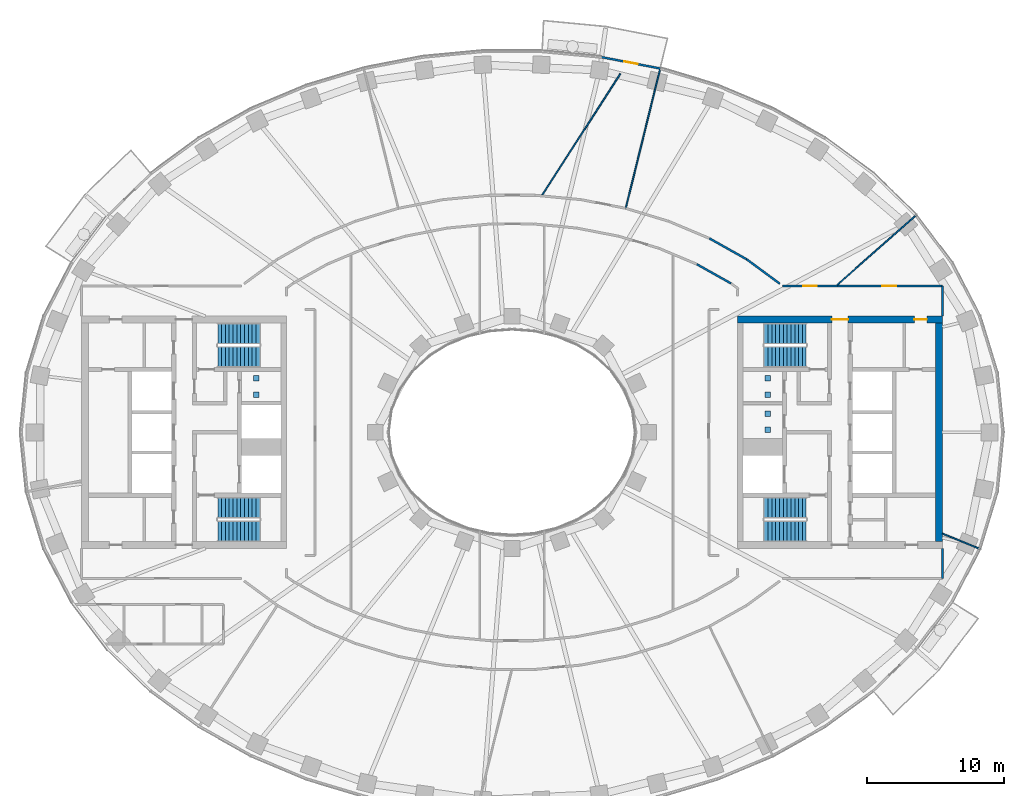
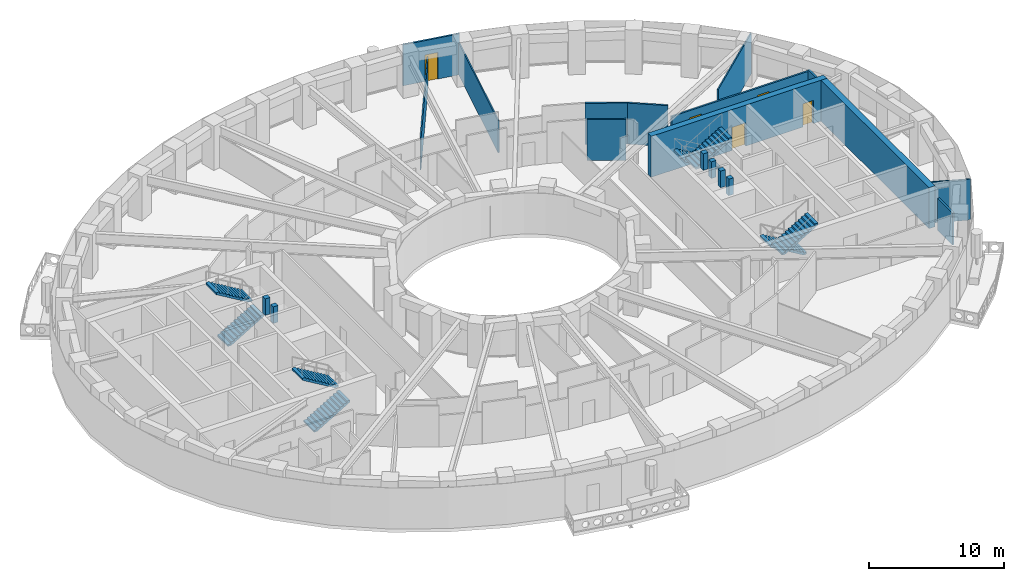
# One storey, part 7 of 16: 13 walls, 8 stair flights, 6 discrete accessories, 5 doors, 5 openings, 4 elements without a shape of their own.
"""IFC4 building model written with IfcOpenShell, lengths in metres."""

from ifc_helpers import new_model, si_unit, direction, frame, frame_2d, origin, origin_2d, place, context, subcontext, project, spatial, polyline, rectangle, outline, extrude, material, layer, layer_set, type_object, element, fill, aggregate, save


model = new_model("IFC4")

# Units and contexts
model_context = context("Model", 3, precision=1e-05, world=origin(), true_north=direction((0.0, 1.0)))
body_context = subcontext(model_context, "Body", "Model", "MODEL_VIEW")
ifc_project = project(units=[si_unit("LENGTHUNIT", "METRE"), si_unit("AREAUNIT", "SQUARE_METRE"), si_unit("VOLUMEUNIT", "CUBIC_METRE"), si_unit("PLANEANGLEUNIT", "RADIAN"), si_unit("MASSUNIT", "GRAM", prefix="KILO")], contexts=[model_context])

# Site, building, storey
site_placement = place(None, origin())
site = spatial("IfcSite", under=ifc_project, at=site_placement, CompositionType="ELEMENT")
building_placement = place(site_placement, origin())
building = spatial("IfcBuilding", under=site, at=building_placement, Name="Noorbagh Ring Tower", CompositionType="ELEMENT")
storey_placement = place(building_placement, frame((0.0, 0.0, 136.0)))
storey = spatial("IfcBuildingStorey", under=building, at=storey_placement, Name="L31", CompositionType="ELEMENT", Elevation=136.0)

# Wall, openings, doors
ifc_material_1 = material(Name="Concrete C70/85", Category="concrete")
ifc_layer_1 = layer(ifc_material_1, 0.5)
ifc_layer_set_1 = layer_set([ifc_layer_1], Name="Concrete C70/85")
wall_type_1 = type_object("IfcWallType", Name="CORE-WALL-500-C70-85-EI240", PredefinedType="SHEAR", material=ifc_layer_set_1)
wall_1_placement = place(storey_placement, frame((16.5, 8.25, 0.0), z_axis=(0.0, 0.0, 1.0), x_axis=(1.0, 0.0, 0.0)))
wall_1 = element("IfcWall", 1, at=wall_1_placement, inside=storey, type_object=wall_type_1, Name="Core wall E", PredefinedType="SHEAR", context=body_context, shape_type="SweptSolid", body=[
    extrude(rectangle(XDim=15.0, YDim=0.5, at=frame_2d((7.5, 0.0))), origin(), (0.0, 0.0, 1.0), 3.699951171875),
])
opening_1_placement = place(wall_1_placement, frame((6.89990234375, 0.0, 0.0)))
opening_1 = element("IfcOpeningElement", 2, at=opening_1_placement, cuts=wall_1, Name="Opening L31-CE09", PredefinedType="OPENING", context=body_context, shape_type="SweptSolid", body=[
    extrude(rectangle(XDim=1.199951171875, YDim=2.10009765625, at=frame_2d((0.60009765625, 1.050048828125))), frame((0.0, 0.260009765625, 0.0), z_axis=(0.0, -1.0, 0.0), x_axis=(1.0, 0.0, 0.0)), (0.0, 0.0, 1.0), 0.52001953125),
])
opening_2_placement = place(wall_1_placement, frame((12.949951171875, 0.0, 0.0)))
opening_2 = element("IfcOpeningElement", 3, at=opening_2_placement, cuts=wall_1, Name="Opening L31-CE14", PredefinedType="OPENING", context=body_context, shape_type="SweptSolid", body=[
    extrude(rectangle(XDim=0.89990234375, YDim=2.10009765625, at=frame_2d((0.449951171875, 1.050048828125))), frame((0.0, 0.260009765625, 0.0), z_axis=(0.0, -1.0, 0.0), x_axis=(1.0, 0.0, 0.0)), (0.0, 0.0, 1.0), 0.52001953125),
])
ifc_material_2 = material(Name="Steel door leaf", Category="steel")
door_type_1 = type_object("IfcDoorType", Name="CORE-DOOR-DROOM", OperationType="SINGLE_SWING_LEFT", PredefinedType="DOOR", material=ifc_material_2)
door_1_placement = place(opening_2_placement, origin())
door_1 = element("IfcDoor", 4, at=door_1_placement, inside=storey, type_object=door_type_1, Name="Core room door L31-CE14", OperationType="SINGLE_SWING_LEFT", OverallHeight=2.10009765625, OverallWidth=0.89990234375, PredefinedType="DOOR", context=body_context, shape_type="SweptSolid", body=[
    extrude(rectangle(XDim=0.89990234375, YDim=2.10009765625, at=frame_2d((0.449951171875, 1.050048828125))), frame((0.0, 0.02490234375, 0.0), z_axis=(0.0, -1.0, 0.0), x_axis=(1.0, 0.0, 0.0)), (0.0, 0.0, 1.0), 0.050048828125),
])
fill(opening_2, door_1)
ifc_material_3 = material(Name="Steel door leaf", Category="steel")
door_type_2 = type_object("IfcDoorType", Name="CORE-DOOR-PORT", OperationType="DOUBLE_DOOR_DOUBLE_SWING", PredefinedType="DOOR", material=ifc_material_3)
door_2_placement = place(opening_1_placement, origin())
door_2 = element("IfcDoor", 5, at=door_2_placement, inside=storey, type_object=door_type_2, Name="Core entrance door L31-CE09", OperationType="DOUBLE_DOOR_DOUBLE_SWING", OverallHeight=2.10009765625, OverallWidth=1.199951171875, PredefinedType="DOOR", context=body_context, shape_type="SweptSolid", body=[
    extrude(rectangle(XDim=1.199951171875, YDim=2.10009765625, at=frame_2d((0.60009765625, 1.050048828125))), frame((0.0, 0.02490234375, 0.0), z_axis=(0.0, -1.0, 0.0), x_axis=(1.0, 0.0, 0.0)), (0.0, 0.0, 1.0), 0.050048828125),
])
fill(opening_1, door_2)

# Walls
wall_2_placement = place(storey_placement, frame((31.25, -8.0, 0.0), z_axis=(0.0, 0.0, 1.0), x_axis=(0.0, 1.0, 0.0)))
element("IfcWall", 6, at=wall_2_placement, inside=storey, type_object=wall_type_1, Name="Core wall E", PredefinedType="SHEAR", context=body_context, shape_type="SweptSolid", body=[
    extrude(rectangle(XDim=16.0, YDim=0.5, at=frame_2d((8.0, 0.0))), origin(), (0.0, 0.0, 1.0), 3.699951171875),
])
ifc_material_4 = material(Name="Gypsum board on steel studs", Category="steel")
ifc_layer_2 = layer(ifc_material_4, 0.14990234375)
ifc_layer_set_2 = layer_set([ifc_layer_2], Name="Gypsum board on steel studs")
wall_type_2 = type_object("IfcWallType", Name="CORRIDOR PARTITION 150 EI 30", PredefinedType="PARTITIONING", material=ifc_layer_set_2)
wall_3_placement = place(storey_placement, frame((13.52099609375, 12.302978515625, 0.0), z_axis=(0.0, 0.0, 1.0), x_axis=(0.871948863789, -0.489596955604, 0.0)))
element("IfcWall", 7, at=wall_3_placement, inside=storey, type_object=wall_type_2, Name="L31/wall/P77", PredefinedType="PARTITIONING", context=body_context, shape_type="SweptSolid", body=[
    extrude(rectangle(XDim=2.879638671875, YDim=0.14990234375, at=frame_2d((1.43994140625, 0.0))), origin(), (0.0, 0.0, 1.0), 3.699951171875),
])
wall_4_placement = place(storey_placement, frame((14.445068359375, 14.19189453125, 0.0), z_axis=(0.0, 0.0, 1.0), x_axis=(0.872054495499, -0.489408783003, 0.0)))
element("IfcWall", 8, at=wall_4_placement, inside=storey, type_object=wall_type_2, Name="L31/wall/P81", PredefinedType="PARTITIONING", context=body_context, shape_type="SweptSolid", body=[
    extrude(rectangle(XDim=3.128173828125, YDim=0.14990234375, at=frame_2d((1.56396484375, 0.0))), origin(), (0.0, 0.0, 1.0), 3.699951171875),
])
wall_5_placement = place(storey_placement, frame((17.173095703125, 12.660888671875, 0.0), z_axis=(0.0, 0.0, 1.0), x_axis=(0.805151708762, -0.593068904831, 0.0)))
element("IfcWall", 9, at=wall_5_placement, inside=storey, type_object=wall_type_2, Name="L31/wall/P89", PredefinedType="PARTITIONING", context=body_context, shape_type="SweptSolid", body=[
    extrude(rectangle(XDim=3.008056640625, YDim=0.14990234375, at=frame_2d((1.50390625, 0.0))), origin(), (0.0, 0.0, 1.0), 3.699951171875),
])

# Wall, openings, doors
wall_6_placement = place(storey_placement, frame((19.777099609375, 10.699951171875, 0.0), z_axis=(0.0, 0.0, 1.0), x_axis=(1.0, 0.0, 0.0)))
wall_6 = element("IfcWall", 10, at=wall_6_placement, inside=storey, type_object=wall_type_2, Name="L31/wall/P91", PredefinedType="PARTITIONING", context=body_context, shape_type="SweptSolid", body=[
    extrude(rectangle(XDim=11.722900390625, YDim=0.14990234375, at=frame_2d((5.861328125, 0.0))), origin(), (0.0, 0.0, 1.0), 2.75),
])
opening_3_placement = place(wall_6_placement, frame((1.52490234375, 0.0, 0.0)))
opening_3 = element("IfcOpeningElement", 11, at=opening_3_placement, cuts=wall_6, Name="Opening D1", PredefinedType="OPENING", context=body_context, shape_type="SweptSolid", body=[
    extrude(rectangle(XDim=1.0, YDim=2.10009765625, at=frame_2d((0.5, 1.050048828125))), frame((0.0, 0.0849609375, 0.0), z_axis=(0.0, -1.0, 0.0), x_axis=(1.0, 0.0, 0.0)), (0.0, 0.0, 1.0), 0.169921875),
])
opening_4_placement = place(wall_6_placement, frame((7.322998046875, 0.0, 0.0)))
opening_4 = element("IfcOpeningElement", 12, at=opening_4_placement, cuts=wall_6, Name="Opening D1", PredefinedType="OPENING", context=body_context, shape_type="SweptSolid", body=[
    extrude(rectangle(XDim=1.0, YDim=2.10009765625, at=frame_2d((0.5, 1.050048828125))), frame((0.0, 0.0849609375, 0.0), z_axis=(0.0, -1.0, 0.0), x_axis=(1.0, 0.0, 0.0)), (0.0, 0.0, 1.0), 0.169921875),
])
ifc_material_5 = material(Name="Timber, painted", Category="wood")
door_type_3 = type_object("IfcDoorType", Name="DOOR 1000 X 2100 FD30", OperationType="SINGLE_SWING_LEFT", PredefinedType="DOOR", material=ifc_material_5)
door_3_placement = place(opening_3_placement, origin())
door_3 = element("IfcDoor", 13, at=door_3_placement, inside=storey, type_object=door_type_3, Name="L31-D11", OperationType="SINGLE_SWING_LEFT", OverallHeight=2.10009765625, OverallWidth=1.0, PredefinedType="DOOR", context=body_context, shape_type="SweptSolid", body=[
    extrude(rectangle(XDim=1.0, YDim=2.10009765625, at=frame_2d((0.5, 1.050048828125))), frame((0.0, 0.02490234375, 0.0), z_axis=(0.0, -1.0, 0.0), x_axis=(1.0, 0.0, 0.0)), (0.0, 0.0, 1.0), 0.050048828125),
])
fill(opening_3, door_3)
door_4_placement = place(opening_4_placement, origin())
door_4 = element("IfcDoor", 14, at=door_4_placement, inside=storey, type_object=door_type_3, Name="L31-D13", OperationType="SINGLE_SWING_LEFT", OverallHeight=2.10009765625, OverallWidth=1.0, PredefinedType="DOOR", context=body_context, shape_type="SweptSolid", body=[
    extrude(rectangle(XDim=1.0, YDim=2.10009765625, at=frame_2d((0.5, 1.050048828125))), frame((0.0, 0.02490234375, 0.0), z_axis=(0.0, -1.0, 0.0), x_axis=(1.0, 0.0, 0.0)), (0.0, 0.0, 1.0), 0.050048828125),
])
fill(opening_4, door_4)

# Walls
for number, where, z_axis, x_axis, name in (
    (15, (31.5, -10.699951171875, 0.0), (0.0, 0.0, 1.0), (0.0, 1.0, 0.0), "L31/wall/P93"),
    (16, (31.5, 8.5, 0.0), (0.0, 0.0, 1.0), (0.0, 1.0, 0.0), "L31/wall/P95"),
):
    element("IfcWall", number, at=place(storey_placement, frame(where, z_axis=z_axis, x_axis=x_axis)), inside=storey, type_object=wall_type_2, Name=name, PredefinedType="PARTITIONING", context=body_context, shape_type="SweptSolid", body=[
        extrude(rectangle(XDim=2.199951171875, YDim=0.14990234375, at=frame_2d((1.10009765625, 0.0))), origin(), (0.0, 0.0, 1.0), 2.89990234375),
    ])

# Wall, opening, door
ifc_material_6 = material(Name="Insulated aluminium clad panel", Category="aluminium")
ifc_layer_3 = layer(ifc_material_6, 0.14990234375)
ifc_layer_set_3 = layer_set([ifc_layer_3], Name="Insulated aluminium clad panel")
wall_type_3 = type_object("IfcWallType", Name="ENV-WALL-DOOR", PredefinedType="STANDARD", material=ifc_layer_set_3)
wall_7_placement = place(storey_placement, frame((10.87060546875, 26.616943359375, 0.0), z_axis=(0.0, 0.0, 1.0), x_axis=(-0.981631174778, 0.190788460615, 0.0)))
wall_7 = element("IfcWall", 17, at=wall_7_placement, inside=storey, type_object=wall_type_3, Name="Balcony door wall chord 10", PredefinedType="STANDARD", context=body_context, shape_type="SweptSolid", body=[
    extrude(rectangle(XDim=4.42626953125, YDim=0.14990234375, at=frame_2d((2.213134765625, 0.0))), origin(), (0.0, 0.0, 1.0), 3.699951171875),
])
opening_5_placement = place(wall_7_placement, frame((1.713134765625, 0.0, 0.0)))
opening_5 = element("IfcOpeningElement", 18, at=opening_5_placement, cuts=wall_7, Name="Opening D-BL", PredefinedType="OPENING", context=body_context, shape_type="SweptSolid", body=[
    extrude(rectangle(XDim=1.0, YDim=2.39990234375, at=frame_2d((0.5, 1.199951171875))), frame((0.0, 0.0849609375, 0.0), z_axis=(0.0, -1.0, 0.0), x_axis=(1.0, 0.0, 0.0)), (0.0, 0.0, 1.0), 0.169921875),
])
ifc_material_7 = material(Name="Aluminium and glass", Category="aluminium")
door_type_4 = type_object("IfcDoorType", Name="ENV-DOOR-BALCONY", OperationType="SINGLE_SWING_LEFT", PredefinedType="DOOR", material=ifc_material_7)
door_5_placement = place(opening_5_placement, origin())
door_5 = element("IfcDoor", 19, at=door_5_placement, inside=storey, type_object=door_type_4, Name="Balcony door chord 10", OperationType="SINGLE_SWING_RIGHT", OverallHeight=2.39990234375, OverallWidth=1.0, PredefinedType="DOOR", context=body_context, shape_type="SweptSolid", body=[
    extrude(rectangle(XDim=1.0, YDim=2.39990234375, at=frame_2d((0.5, 1.199951171875))), frame((0.0, 0.02490234375, 0.0), z_axis=(0.0, -1.0, 0.0), x_axis=(1.0, 0.0, 0.0)), (0.0, 0.0, 1.0), 0.050048828125),
])
fill(opening_5, door_5)

# Walls
ifc_material_8 = material(Name="Gypsum board on steel studs", Category="steel")
ifc_layer_4 = layer(ifc_material_8, 0.10009765625)
ifc_layer_set_4 = layer_set([ifc_layer_4], Name="Gypsum board on steel studs")
wall_type_4 = type_object("IfcWallType", Name="PARTITION 100 GYPSUM", PredefinedType="PARTITIONING", material=ifc_layer_set_4)
wall_8_placement = place(storey_placement, frame((2.2119140625, 17.3740234375, 0.0), z_axis=(0.0, 0.0, 1.0), x_axis=(0.542291918101, 0.840190142505, 0.0)))
element("IfcWall", 20, at=wall_8_placement, inside=storey, type_object=wall_type_4, Name="L31/wall/P59", PredefinedType="PARTITIONING", context=body_context, shape_type="SweptSolid", body=[
    extrude(rectangle(XDim=10.545166015625, YDim=0.10009765625, at=frame_2d((5.2724609375, 0.0))), origin(), (0.0, 0.0, 1.0), 2.85009765625),
])
wall_9_placement = place(storey_placement, frame((8.321044921875, 16.39404296875, 0.0), z_axis=(0.0, 0.0, 1.0), x_axis=(0.239771193985, 0.970829426076, 0.0)))
element("IfcWall", 21, at=wall_9_placement, inside=storey, type_object=wall_type_4, Name="L31/wall/P69", PredefinedType="PARTITIONING", context=body_context, shape_type="SweptSolid", body=[
    extrude(rectangle(XDim=10.56005859375, YDim=0.10009765625, at=frame_2d((5.280029296875, 0.0))), origin(), (0.0, 0.0, 1.0), 2.89990234375),
])
wall_10_placement = place(storey_placement, frame((23.784912109375, 10.778076171875, 0.0), z_axis=(0.0, 0.0, 1.0), x_axis=(0.748985701008, 0.662586160198, 0.0)))
element("IfcWall", 22, at=wall_10_placement, inside=storey, type_object=wall_type_4, Name="L31/wall/P92", PredefinedType="PARTITIONING", context=body_context, shape_type="SweptSolid", body=[
    extrude(rectangle(XDim=7.72265625, YDim=0.10009765625, at=frame_2d((3.861328125, 0.0))), origin(), (0.0, 0.0, 1.0), 3.699951171875),
])
wall_11_placement = place(storey_placement, frame((31.5, -7.409912109375, 0.0), z_axis=(0.0, 0.0, 1.0), x_axis=(0.925344112436, -0.379128307542, 0.0)))
element("IfcWall", 23, at=wall_11_placement, inside=storey, type_object=wall_type_4, Name="L31/wall/P94", PredefinedType="PARTITIONING", context=body_context, shape_type="SweptSolid", body=[
    extrude(rectangle(XDim=2.954345703125, YDim=0.10009765625, at=frame_2d((1.47705078125, 0.0))), origin(), (0.0, 0.0, 1.0), 3.699951171875),
])

# Stair, stair flights
ifc_material_9 = material(Name="Concrete C40/50", Category="concrete")
stair_type = type_object("IfcStairType", Name="CORE-STAIR", PredefinedType="HALF_TURN_STAIR", material=ifc_material_9)
stair_1_placement = place(storey_placement, origin())
stair_1 = element("IfcStair", 24, at=stair_1_placement, inside=storey, type_object=stair_type, Name="L31 Exit stair ST1", PredefinedType="HALF_TURN_STAIR")
ifc_material_10 = material(Name="Concrete C40/50", Category="concrete")
stair_flight_type = type_object("IfcStairFlightType", Name="CORE-STAIR-FLIGHT", PredefinedType="STRAIGHT", material=ifc_material_10)
stair_flight_1_placement = place(storey_placement, frame((-21.530029296875, 5.52490234375, 0.0), z_axis=(0.0, 0.0, 1.0), x_axis=(1.0, 0.0, 0.0)))
stair_flight_1 = element("IfcStairFlight", 25, at=stair_flight_1_placement, type_object=stair_flight_type, Name="ST1 flight 1", NumberOfRisers=12, NumberOfTreads=11, PredefinedType="STRAIGHT", RiserHeight=0.166666667, TreadLength=0.28, context=body_context, shape_type="SweptSolid", body=[
    extrude(outline(polyline([(0.0, 0.0), (0.0, 0.166748046875), (0.280029296875, 0.166748046875), (0.280029296875, 0.333251953125), (0.56005859375, 0.333251953125), (0.56005859375, 0.5), (0.840087890625, 0.5), (0.840087890625, 0.666748046875), (1.1201171875, 0.666748046875), (1.1201171875, 0.833251953125), (1.39990234375, 0.833251953125), (1.39990234375, 1.0), (1.679931640625, 1.0), (1.679931640625, 1.166748046875), (1.9599609375, 1.166748046875), (1.9599609375, 1.333251953125), (2.239990234375, 1.333251953125), (2.239990234375, 1.5), (2.52001953125, 1.5), (2.52001953125, 1.666748046875), (2.800048828125, 1.666748046875), (2.800048828125, 1.833251953125), (3.080078125, 1.833251953125), (3.080078125, 2.0), (3.080078125, 1.658935546875), (0.29296875, 0.0), (0.0, 0.0)])), frame((0.0, 0.77490234375, 0.0), z_axis=(0.0, -1.0, 0.0), x_axis=(1.0, 0.0, 0.0)), (0.0, 0.0, 1.0), 1.550048828125),
])
stair_flight_2_placement = place(storey_placement, frame((-18.449951171875, 7.22509765625, 2.0), z_axis=(0.0, 0.0, 1.0), x_axis=(-1.0, 0.0, 0.0)))
stair_flight_2 = element("IfcStairFlight", 26, at=stair_flight_2_placement, type_object=stair_flight_type, Name="ST1 flight 2", NumberOfRisers=12, NumberOfTreads=11, PredefinedType="STRAIGHT", RiserHeight=0.166666667, TreadLength=0.28, context=body_context, shape_type="SweptSolid", body=[
    extrude(outline(polyline([(0.0, 0.0), (0.0, 0.166748046875), (0.280029296875, 0.166748046875), (0.280029296875, 0.333251953125), (0.56005859375, 0.333251953125), (0.56005859375, 0.5), (0.840087890625, 0.5), (0.840087890625, 0.666748046875), (1.1201171875, 0.666748046875), (1.1201171875, 0.833251953125), (1.39990234375, 0.833251953125), (1.39990234375, 1.0), (1.679931640625, 1.0), (1.679931640625, 1.166748046875), (1.9599609375, 1.166748046875), (1.9599609375, 1.333251953125), (2.239990234375, 1.333251953125), (2.239990234375, 1.5), (2.52001953125, 1.5), (2.52001953125, 1.666748046875), (2.800048828125, 1.666748046875), (2.800048828125, 1.833251953125), (3.080078125, 1.833251953125), (3.080078125, 2.0), (3.080078125, 1.658935546875), (0.29296875, 0.0), (0.0, 0.0)])), frame((0.0, 0.77490234375, 0.0), z_axis=(0.0, -1.0, 0.0), x_axis=(1.0, 0.0, 0.0)), (0.0, 0.0, 1.0), 1.550048828125),
])
aggregate(stair_1, [stair_flight_1, stair_flight_2])

stair_2_placement = place(storey_placement, origin())
stair_2 = element("IfcStair", 27, at=stair_2_placement, inside=storey, type_object=stair_type, Name="L31 Exit stair ST2", PredefinedType="HALF_TURN_STAIR")
stair_flight_3_placement = place(storey_placement, frame((-21.530029296875, -7.22509765625, 0.0), z_axis=(0.0, 0.0, 1.0), x_axis=(1.0, 0.0, 0.0)))
stair_flight_3 = element("IfcStairFlight", 28, at=stair_flight_3_placement, type_object=stair_flight_type, Name="ST2 flight 1", NumberOfRisers=12, NumberOfTreads=11, PredefinedType="STRAIGHT", RiserHeight=0.166666667, TreadLength=0.28, context=body_context, shape_type="SweptSolid", body=[
    extrude(outline(polyline([(0.0, 0.0), (0.0, 0.166748046875), (0.280029296875, 0.166748046875), (0.280029296875, 0.333251953125), (0.56005859375, 0.333251953125), (0.56005859375, 0.5), (0.840087890625, 0.5), (0.840087890625, 0.666748046875), (1.1201171875, 0.666748046875), (1.1201171875, 0.833251953125), (1.39990234375, 0.833251953125), (1.39990234375, 1.0), (1.679931640625, 1.0), (1.679931640625, 1.166748046875), (1.9599609375, 1.166748046875), (1.9599609375, 1.333251953125), (2.239990234375, 1.333251953125), (2.239990234375, 1.5), (2.52001953125, 1.5), (2.52001953125, 1.666748046875), (2.800048828125, 1.666748046875), (2.800048828125, 1.833251953125), (3.080078125, 1.833251953125), (3.080078125, 2.0), (3.080078125, 1.658935546875), (0.29296875, 0.0), (0.0, 0.0)])), frame((0.0, 0.77490234375, 0.0), z_axis=(0.0, -1.0, 0.0), x_axis=(1.0, 0.0, 0.0)), (0.0, 0.0, 1.0), 1.550048828125),
])
stair_flight_4_placement = place(storey_placement, frame((-18.449951171875, -5.52490234375, 2.0), z_axis=(0.0, 0.0, 1.0), x_axis=(-1.0, 0.0, 0.0)))
stair_flight_4 = element("IfcStairFlight", 29, at=stair_flight_4_placement, type_object=stair_flight_type, Name="ST2 flight 2", NumberOfRisers=12, NumberOfTreads=11, PredefinedType="STRAIGHT", RiserHeight=0.166666667, TreadLength=0.28, context=body_context, shape_type="SweptSolid", body=[
    extrude(outline(polyline([(0.0, 0.0), (0.0, 0.166748046875), (0.280029296875, 0.166748046875), (0.280029296875, 0.333251953125), (0.56005859375, 0.333251953125), (0.56005859375, 0.5), (0.840087890625, 0.5), (0.840087890625, 0.666748046875), (1.1201171875, 0.666748046875), (1.1201171875, 0.833251953125), (1.39990234375, 0.833251953125), (1.39990234375, 1.0), (1.679931640625, 1.0), (1.679931640625, 1.166748046875), (1.9599609375, 1.166748046875), (1.9599609375, 1.333251953125), (2.239990234375, 1.333251953125), (2.239990234375, 1.5), (2.52001953125, 1.5), (2.52001953125, 1.666748046875), (2.800048828125, 1.666748046875), (2.800048828125, 1.833251953125), (3.080078125, 1.833251953125), (3.080078125, 2.0), (3.080078125, 1.658935546875), (0.29296875, 0.0), (0.0, 0.0)])), frame((0.0, 0.77490234375, 0.0), z_axis=(0.0, -1.0, 0.0), x_axis=(1.0, 0.0, 0.0)), (0.0, 0.0, 1.0), 1.550048828125),
])
aggregate(stair_2, [stair_flight_3, stair_flight_4])

stair_3_placement = place(storey_placement, origin())
stair_3 = element("IfcStair", 30, at=stair_3_placement, inside=storey, type_object=stair_type, Name="L31 Exit stair ST3", PredefinedType="HALF_TURN_STAIR")
stair_flight_5_placement = place(storey_placement, frame((21.530029296875, 7.22509765625, 0.0), z_axis=(0.0, 0.0, 1.0), x_axis=(-1.0, 0.0, 0.0)))
stair_flight_5 = element("IfcStairFlight", 31, at=stair_flight_5_placement, type_object=stair_flight_type, Name="ST3 flight 1", NumberOfRisers=12, NumberOfTreads=11, PredefinedType="STRAIGHT", RiserHeight=0.166666667, TreadLength=0.28, context=body_context, shape_type="SweptSolid", body=[
    extrude(outline(polyline([(0.0, 0.0), (0.0, 0.166748046875), (0.280029296875, 0.166748046875), (0.280029296875, 0.333251953125), (0.56005859375, 0.333251953125), (0.56005859375, 0.5), (0.840087890625, 0.5), (0.840087890625, 0.666748046875), (1.1201171875, 0.666748046875), (1.1201171875, 0.833251953125), (1.39990234375, 0.833251953125), (1.39990234375, 1.0), (1.679931640625, 1.0), (1.679931640625, 1.166748046875), (1.9599609375, 1.166748046875), (1.9599609375, 1.333251953125), (2.239990234375, 1.333251953125), (2.239990234375, 1.5), (2.52001953125, 1.5), (2.52001953125, 1.666748046875), (2.800048828125, 1.666748046875), (2.800048828125, 1.833251953125), (3.080078125, 1.833251953125), (3.080078125, 2.0), (3.080078125, 1.658935546875), (0.29296875, 0.0), (0.0, 0.0)])), frame((0.0, 0.77490234375, 0.0), z_axis=(0.0, -1.0, 0.0), x_axis=(1.0, 0.0, 0.0)), (0.0, 0.0, 1.0), 1.550048828125),
])
stair_flight_6_placement = place(storey_placement, frame((18.449951171875, 5.52490234375, 2.0), z_axis=(0.0, 0.0, 1.0), x_axis=(1.0, 0.0, 0.0)))
stair_flight_6 = element("IfcStairFlight", 32, at=stair_flight_6_placement, type_object=stair_flight_type, Name="ST3 flight 2", NumberOfRisers=12, NumberOfTreads=11, PredefinedType="STRAIGHT", RiserHeight=0.166666667, TreadLength=0.28, context=body_context, shape_type="SweptSolid", body=[
    extrude(outline(polyline([(0.0, 0.0), (0.0, 0.166748046875), (0.280029296875, 0.166748046875), (0.280029296875, 0.333251953125), (0.56005859375, 0.333251953125), (0.56005859375, 0.5), (0.840087890625, 0.5), (0.840087890625, 0.666748046875), (1.1201171875, 0.666748046875), (1.1201171875, 0.833251953125), (1.39990234375, 0.833251953125), (1.39990234375, 1.0), (1.679931640625, 1.0), (1.679931640625, 1.166748046875), (1.9599609375, 1.166748046875), (1.9599609375, 1.333251953125), (2.239990234375, 1.333251953125), (2.239990234375, 1.5), (2.52001953125, 1.5), (2.52001953125, 1.666748046875), (2.800048828125, 1.666748046875), (2.800048828125, 1.833251953125), (3.080078125, 1.833251953125), (3.080078125, 2.0), (3.080078125, 1.658935546875), (0.29296875, 0.0), (0.0, 0.0)])), frame((0.0, 0.77490234375, 0.0), z_axis=(0.0, -1.0, 0.0), x_axis=(1.0, 0.0, 0.0)), (0.0, 0.0, 1.0), 1.550048828125),
])
aggregate(stair_3, [stair_flight_5, stair_flight_6])

stair_4_placement = place(storey_placement, origin())
stair_4 = element("IfcStair", 33, at=stair_4_placement, inside=storey, type_object=stair_type, Name="L31 Exit stair ST4", PredefinedType="HALF_TURN_STAIR")
stair_flight_7_placement = place(storey_placement, frame((21.530029296875, -5.52490234375, 0.0), z_axis=(0.0, 0.0, 1.0), x_axis=(-1.0, 0.0, 0.0)))
stair_flight_7 = element("IfcStairFlight", 34, at=stair_flight_7_placement, type_object=stair_flight_type, Name="ST4 flight 1", NumberOfRisers=12, NumberOfTreads=11, PredefinedType="STRAIGHT", RiserHeight=0.166666667, TreadLength=0.28, context=body_context, shape_type="SweptSolid", body=[
    extrude(outline(polyline([(0.0, 0.0), (0.0, 0.166748046875), (0.280029296875, 0.166748046875), (0.280029296875, 0.333251953125), (0.56005859375, 0.333251953125), (0.56005859375, 0.5), (0.840087890625, 0.5), (0.840087890625, 0.666748046875), (1.1201171875, 0.666748046875), (1.1201171875, 0.833251953125), (1.39990234375, 0.833251953125), (1.39990234375, 1.0), (1.679931640625, 1.0), (1.679931640625, 1.166748046875), (1.9599609375, 1.166748046875), (1.9599609375, 1.333251953125), (2.239990234375, 1.333251953125), (2.239990234375, 1.5), (2.52001953125, 1.5), (2.52001953125, 1.666748046875), (2.800048828125, 1.666748046875), (2.800048828125, 1.833251953125), (3.080078125, 1.833251953125), (3.080078125, 2.0), (3.080078125, 1.658935546875), (0.29296875, 0.0), (0.0, 0.0)])), frame((0.0, 0.77490234375, 0.0), z_axis=(0.0, -1.0, 0.0), x_axis=(1.0, 0.0, 0.0)), (0.0, 0.0, 1.0), 1.550048828125),
])
stair_flight_8_placement = place(storey_placement, frame((18.449951171875, -7.22509765625, 2.0), z_axis=(0.0, 0.0, 1.0), x_axis=(1.0, 0.0, 0.0)))
stair_flight_8 = element("IfcStairFlight", 35, at=stair_flight_8_placement, type_object=stair_flight_type, Name="ST4 flight 2", NumberOfRisers=12, NumberOfTreads=11, PredefinedType="STRAIGHT", RiserHeight=0.166666667, TreadLength=0.28, context=body_context, shape_type="SweptSolid", body=[
    extrude(outline(polyline([(0.0, 0.0), (0.0, 0.166748046875), (0.280029296875, 0.166748046875), (0.280029296875, 0.333251953125), (0.56005859375, 0.333251953125), (0.56005859375, 0.5), (0.840087890625, 0.5), (0.840087890625, 0.666748046875), (1.1201171875, 0.666748046875), (1.1201171875, 0.833251953125), (1.39990234375, 0.833251953125), (1.39990234375, 1.0), (1.679931640625, 1.0), (1.679931640625, 1.166748046875), (1.9599609375, 1.166748046875), (1.9599609375, 1.333251953125), (2.239990234375, 1.333251953125), (2.239990234375, 1.5), (2.52001953125, 1.5), (2.52001953125, 1.666748046875), (2.800048828125, 1.666748046875), (2.800048828125, 1.833251953125), (3.080078125, 1.833251953125), (3.080078125, 2.0), (3.080078125, 1.658935546875), (0.29296875, 0.0), (0.0, 0.0)])), frame((0.0, 0.77490234375, 0.0), z_axis=(0.0, -1.0, 0.0), x_axis=(1.0, 0.0, 0.0)), (0.0, 0.0, 1.0), 1.550048828125),
])
aggregate(stair_4, [stair_flight_7, stair_flight_8])

# Discrete accessories
ifc_material_11 = material(Name="Steel S355", Category="steel")
discrete_accessory_type = type_object("IfcDiscreteAccessoryType", Name="CORE-LIFT-BUFFER", PredefinedType="BRACKET", material=ifc_material_11)
for number, where, z_axis, x_axis, name in (
    (36, (-18.699951171875, 2.75, 2.5), (0.0, 0.0, 1.0), (1.0, 0.0, 0.0), "Lift buffer HR1"),
    (37, (-18.699951171875, 3.949951171875, 2.5), (0.0, 0.0, 1.0), (1.0, 0.0, 0.0), "Lift buffer HR1"),
    (38, (18.699951171875, 0.175048828125, 2.5), (0.0, 0.0, 1.0), (1.0, 0.0, 0.0), "Lift buffer HR7"),
    (39, (18.699951171875, 1.375, 2.5), (0.0, 0.0, 1.0), (1.0, 0.0, 0.0), "Lift buffer HR7"),
    (40, (18.699951171875, 2.75, 2.5), (0.0, 0.0, 1.0), (1.0, 0.0, 0.0), "Lift buffer HR8"),
    (41, (18.699951171875, 3.949951171875, 2.5), (0.0, 0.0, 1.0), (1.0, 0.0, 0.0), "Lift buffer HR8"),
):
    element("IfcDiscreteAccessory", number, at=place(storey_placement, frame(where, z_axis=z_axis, x_axis=x_axis)), inside=storey, type_object=discrete_accessory_type, Name=name, PredefinedType="BRACKET", context=body_context, shape_type="SweptSolid", body=[
        extrude(rectangle(XDim=0.39990234375, YDim=0.39990234375, at=origin_2d()), origin(), (0.0, 0.0, 1.0), 1.5),
    ])

save(model, "model.ifc")
